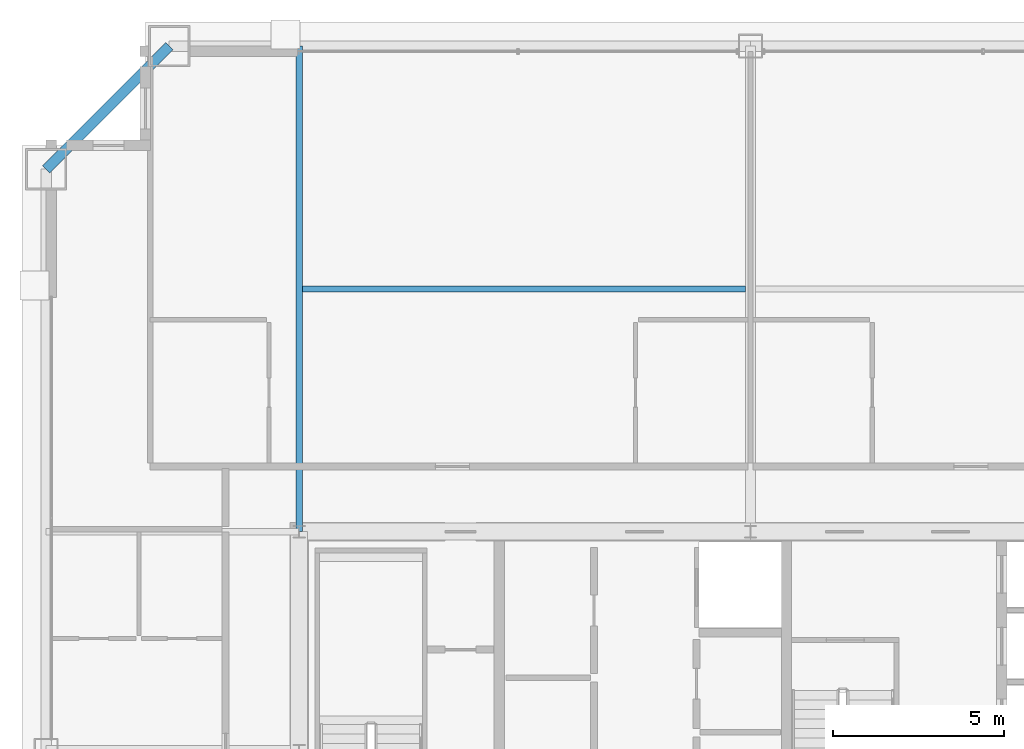
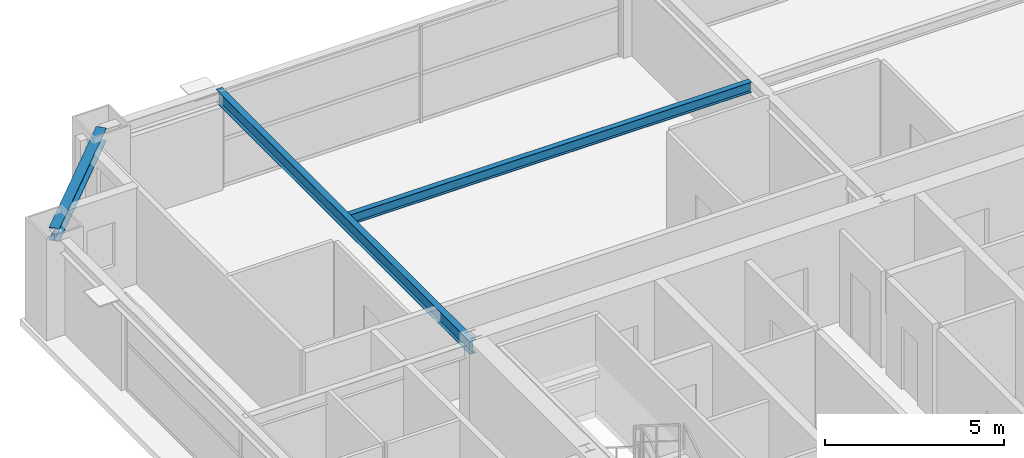
# One storey, part 24 of 37: 3 beams.
"""IFC4 building model written with IfcOpenShell, lengths in metres."""

from ifc_helpers import new_model, si_unit, direction, frame, origin, origin_2d, place, context, subcontext, project, spatial, i_section, extrude, source, transform, mapped, material, material_profile, profile_set, type_object, element, save


model = new_model("IFC4")

# Units and contexts
model_context = context("Model", 3, precision=1e-05, world=origin(), true_north=direction((0.0, 1.0)))
body_context = subcontext(model_context, "Body", "Model", "MODEL_VIEW")
ifc_project = project(units=[si_unit("LENGTHUNIT", "METRE"), si_unit("AREAUNIT", "SQUARE_METRE"), si_unit("VOLUMEUNIT", "CUBIC_METRE"), si_unit("PLANEANGLEUNIT", "RADIAN"), si_unit("MASSUNIT", "GRAM", prefix="KILO"), si_unit("THERMODYNAMICTEMPERATUREUNIT", "KELVIN"), si_unit("POWERUNIT", "WATT")], contexts=[model_context])

# Site, building, storey
site_placement = place(None, origin())
site = spatial("IfcSite", under=ifc_project, at=site_placement, CompositionType="ELEMENT")
building_placement = place(site_placement, origin())
building = spatial("IfcBuilding", under=site, at=building_placement, Name="Yuzanri Waterfront Tower", CompositionType="ELEMENT")
storey_placement = place(building_placement, frame((0.0, 0.0, 275.10009765625)))
storey = spatial("IfcBuildingStorey", under=building, at=storey_placement, Name="L73", CompositionType="ELEMENT", Elevation=275.10009765625)

# Beams
ifc_material_1 = material(Name="Steel Q355B", Category="steel")
ifc_material_profile_1 = material_profile(ifc_material_1, i_section(OverallWidth=0.300048828125, OverallDepth=0.43994140625, WebThickness=0.010986328125, FlangeThickness=0.01806640625, at=origin_2d()), Name="HM 440x300x11x18")
ifc_profile_set_1 = profile_set([ifc_material_profile_1], Name="Steel Q355B")
beam_type_1 = type_object("IfcBeamType", Name="Perimeter Spandrel Q355B HM 440x300", PredefinedType="SPANDREL", material=ifc_profile_set_1)
shared_shape_1 = source(origin(), body_context, "Body", "SweptSolid", [
    extrude(i_section(OverallWidth=0.300048828125, OverallDepth=0.43994140625, WebThickness=0.010986328125, FlangeThickness=0.01806640625, at=origin_2d()), origin(), (0.0, 0.0, 1.0), 5.091064453125),
])
beam_1_placement = place(storey_placement, frame((20.0, 46.39990234375, 3.059814453125), z_axis=(-0.707130757816, -0.707082803744, 0.0), x_axis=(0.707082803744, -0.707130757816, 0.0)))
element("IfcBeam", 1, at=beam_1_placement, inside=storey, type_object=beam_type_1, Name="L73 Perimeter Spandrel N1-W3", PredefinedType="SPANDREL", context=body_context, shape_type="MappedRepresentation", body=[
    mapped(shared_shape_1, transform((0.0, 0.0, 0.0), scale=1.0)),
])
ifc_material_2 = material(Name="Steel Q355B", Category="steel")
ifc_material_profile_2 = material_profile(ifc_material_2, i_section(OverallWidth=0.199951171875, OverallDepth=0.449951171875, WebThickness=0.009033203125, FlangeThickness=0.013916015625, at=origin_2d()), Name="HN 450x200x9x14")
ifc_profile_set_2 = profile_set([ifc_material_profile_2], Name="Steel Q355B")
beam_type_2 = type_object("IfcBeamType", Name="Secondary Floor Beam Q355B HN 450x200", PredefinedType="BEAM", material=ifc_profile_set_2)
shared_shape_2 = source(origin(), body_context, "Body", "SweptSolid", [
    extrude(i_section(OverallWidth=0.199951171875, OverallDepth=0.449951171875, WebThickness=0.009033203125, FlangeThickness=0.013916015625, at=origin_2d()), origin(), (0.0, 0.0, 1.0), 14.199951171875),
])
beam_2_placement = place(storey_placement, frame((23.800048828125, 32.199951171875, 3.054931640625), z_axis=(0.0, 1.0, 0.0), x_axis=(-1.0, 0.0, 0.0)))
element("IfcBeam", 2, at=beam_2_placement, inside=storey, type_object=beam_type_2, Name="L73 North-West Core Line Beam", PredefinedType="BEAM", context=body_context, shape_type="MappedRepresentation", body=[
    mapped(shared_shape_2, transform((0.0, 0.0, 0.0), scale=1.0)),
])
ifc_material_3 = material(Name="Steel Q355B", Category="steel")
ifc_material_profile_3 = material_profile(ifc_material_3, i_section(OverallWidth=0.175048828125, OverallDepth=0.35009765625, WebThickness=0.007080078125, FlangeThickness=0.010986328125, at=origin_2d()), Name="HN 350x175x7x11")
ifc_profile_set_3 = profile_set([ifc_material_profile_3], Name="Steel Q355B")
beam_type_3 = type_object("IfcBeamType", Name="Floor Joist Q355B HN 350x175", PredefinedType="JOIST", material=ifc_profile_set_3)
shared_shape_3 = source(origin(), body_context, "Body", "SweptSolid", [
    extrude(i_section(OverallWidth=0.175048828125, OverallDepth=0.35009765625, WebThickness=0.007080078125, FlangeThickness=0.010986328125, at=origin_2d()), origin(), (0.0, 0.0, 1.0), 12.9501953125),
])
beam_3_placement = place(storey_placement, frame((23.89990234375, 39.300048828125, 3.10498046875), z_axis=(1.0, 0.0, 0.0), x_axis=(0.0, 1.0, 0.0)))
element("IfcBeam", 3, at=beam_3_placement, inside=storey, type_object=beam_type_3, Name="L73 North Bay Joist W", PredefinedType="JOIST", context=body_context, shape_type="MappedRepresentation", body=[
    mapped(shared_shape_3, transform((0.0, 0.0, 0.0), scale=1.0)),
])

save(model, "model.ifc")
